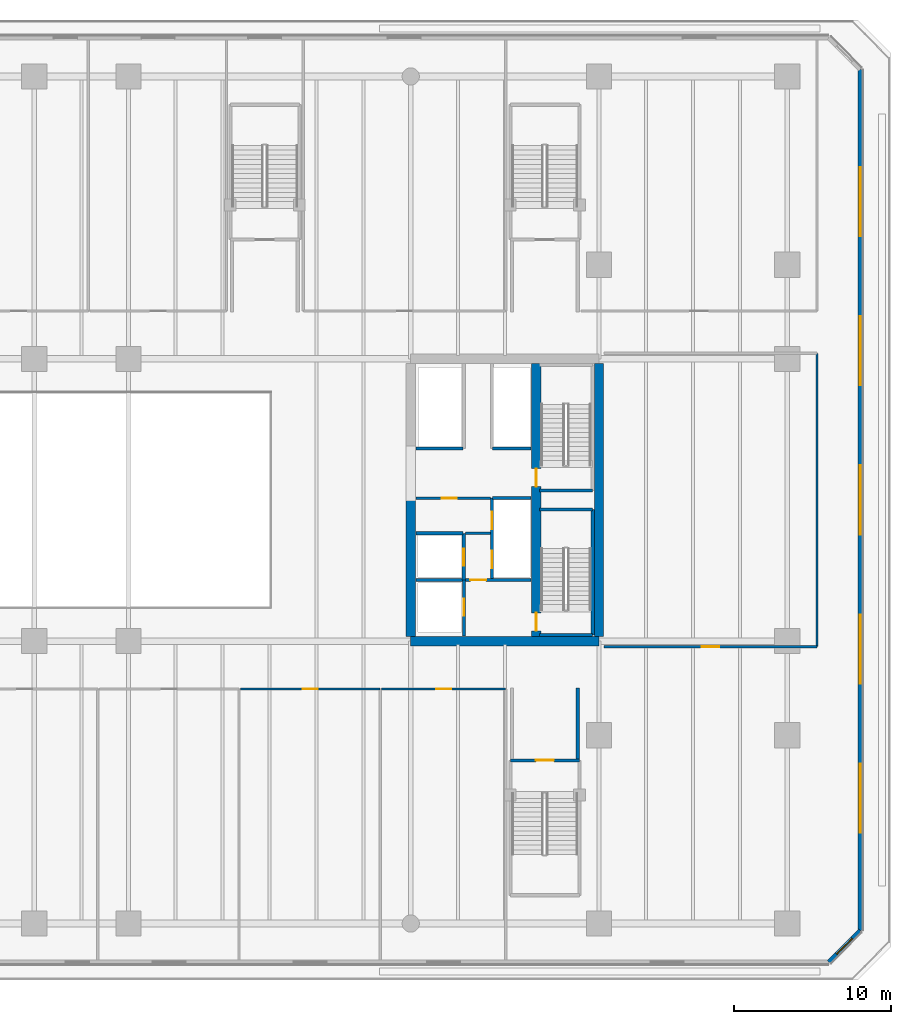
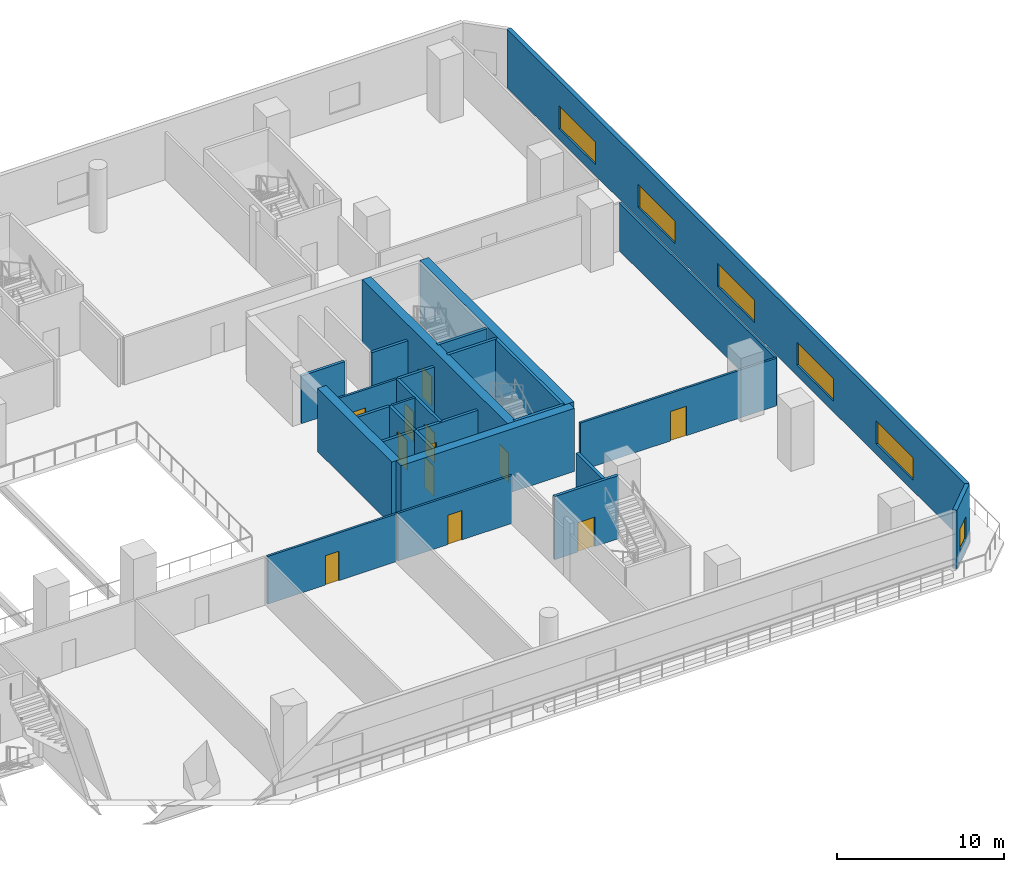
# One storey, part 8 of 27: 26 walls, 12 doors, 6 windows, 18 openings.
"""IFC4 building model written with IfcOpenShell, lengths in metres."""

from ifc_helpers import new_model, si_unit, direction, frame, frame_2d, origin, place, context, subcontext, project, spatial, rectangle, extrude, material, layer, layer_set, type_object, element, fill, save


model = new_model("IFC4")

# Units and contexts
model_context = context("Model", 3, precision=1e-05, world=origin(), true_north=direction((0.0, 1.0)))
body_context = subcontext(model_context, "Body", "Model", "MODEL_VIEW")
ifc_project = project(units=[si_unit("LENGTHUNIT", "METRE"), si_unit("AREAUNIT", "SQUARE_METRE"), si_unit("VOLUMEUNIT", "CUBIC_METRE"), si_unit("PLANEANGLEUNIT", "RADIAN"), si_unit("MASSUNIT", "GRAM", prefix="KILO")], contexts=[model_context])

# Site, building, storey
site_placement = place(None, origin())
site = spatial("IfcSite", under=ifc_project, at=site_placement, CompositionType="ELEMENT")
building_placement = place(site_placement, origin())
building = spatial("IfcBuilding", under=site, at=building_placement, Name="Tanjung Sevakor Pilgrim Tower", CompositionType="ELEMENT")
storey_placement = place(building_placement, frame((0.0, 0.0, 19.469970703125)))
storey = spatial("IfcBuildingStorey", under=building, at=storey_placement, Name="L05", CompositionType="ELEMENT", Elevation=19.469970703125)

# Walls
ifc_material_1 = material(Name="Concrete C60/75", Category="concrete")
ifc_layer_1 = layer(ifc_material_1, 0.60009765625)
ifc_layer_set_1 = layer_set([ifc_layer_1], Name="WALL-CW-600")
wall_type_1 = type_object("IfcWallType", Name="WALL-CW-600", PredefinedType="SHEAR", material=ifc_layer_set_1)
wall_1_placement = place(storey_placement, frame((78.0, 24.60009765625, 0.0), z_axis=(0.0, 0.0, 1.0), x_axis=(1.0, 0.0, 0.0)))
element("IfcWall", 1, at=wall_1_placement, inside=storey, type_object=wall_type_1, Name="L05 E Core South Shear Wall", PredefinedType="SHEAR", context=body_context, shape_type="SweptSolid", body=[
    extrude(rectangle(XDim=12.0, YDim=0.60009765625, at=frame_2d((6.0, 0.0))), origin(), (0.0, 0.0, 1.0), 4.6201171875),
])
wall_2_placement = place(storey_placement, frame((90.0, 24.89990234375, 0.0), z_axis=(0.0, 0.0, 1.0), x_axis=(0.0, 1.0, 0.0)))
element("IfcWall", 2, at=wall_2_placement, inside=storey, type_object=wall_type_1, Name="L05 E Core Outer Shear Wall", PredefinedType="SHEAR", context=body_context, shape_type="SweptSolid", body=[
    extrude(rectangle(XDim=17.400146484375, YDim=0.60009765625, at=frame_2d((8.7001953125, 0.0))), origin(), (0.0, 0.0, 1.0), 4.6201171875),
])
wall_3_placement = place(storey_placement, frame((78.0, 24.89990234375, 0.0), z_axis=(0.0, 0.0, 1.0), x_axis=(0.0, 1.0, 0.0)))
element("IfcWall", 3, at=wall_3_placement, inside=storey, type_object=wall_type_1, Name="L05 E Core Inner Shear Wall South", PredefinedType="SHEAR", context=body_context, shape_type="SweptSolid", body=[
    extrude(rectangle(XDim=8.900146484375, YDim=0.60009765625, at=frame_2d((4.4501953125, 0.0))), origin(), (0.0, 0.0, 1.0), 4.6201171875),
])

# Wall, openings, doors
wall_4_placement = place(storey_placement, frame((86.0, 24.89990234375, 0.0), z_axis=(0.0, 0.0, 1.0), x_axis=(0.0, 1.0, 0.0)))
wall_4 = element("IfcWall", 4, at=wall_4_placement, inside=storey, type_object=wall_type_1, Name="L05 E Core Stair Spine Wall", PredefinedType="SHEAR", context=body_context, shape_type="SweptSolid", body=[
    extrude(rectangle(XDim=17.400146484375, YDim=0.60009765625, at=frame_2d((8.7001953125, 0.0))), origin(), (0.0, 0.0, 1.0), 4.6201171875),
])
opening_1_placement = place(wall_4_placement, frame((0.35009765625, 0.0, 0.0)))
opening_1 = element("IfcOpeningElement", 5, at=opening_1_placement, cuts=wall_4, Name="Opening ID-ST1", PredefinedType="OPENING", context=body_context, shape_type="SweptSolid", body=[
    extrude(rectangle(XDim=1.14990234375, YDim=2.14990234375, at=frame_2d((0.574951171875, 1.074951171875))), frame((0.0, 0.31005859375, 0.0), z_axis=(0.0, -1.0, 0.0), x_axis=(1.0, 0.0, 0.0)), (0.0, 0.0, 1.0), 0.6201171875),
])
opening_2_placement = place(wall_4_placement, frame((9.550048828125, 0.0, 0.0)))
opening_2 = element("IfcOpeningElement", 6, at=opening_2_placement, cuts=wall_4, Name="Opening ID-ST1", PredefinedType="OPENING", context=body_context, shape_type="SweptSolid", body=[
    extrude(rectangle(XDim=1.14990234375, YDim=2.14990234375, at=frame_2d((0.574951171875, 1.074951171875))), frame((0.0, 0.31005859375, 0.0), z_axis=(0.0, -1.0, 0.0), x_axis=(1.0, 0.0, 0.0)), (0.0, 0.0, 1.0), 0.6201171875),
])
ifc_material_2 = material(Name="Fire-Rated Steel S355J2", Category="steel")
door_type_1 = type_object("IfcDoorType", Name="DT-FIRE-1150", OperationType="NOTDEFINED", PredefinedType="DOOR", material=ifc_material_2)
door_1_placement = place(opening_1_placement, origin())
door_1 = element("IfcDoor", 7, at=door_1_placement, inside=storey, type_object=door_type_1, Name="L05 TS-E1 Stair Fire Door", OperationType="SINGLE_SWING_RIGHT", OverallHeight=2.14990234375, OverallWidth=1.14990234375, PredefinedType="DOOR", context=body_context, shape_type="SweptSolid", body=[
    extrude(rectangle(XDim=1.14990234375, YDim=2.14990234375, at=frame_2d((0.574951171875, 1.074951171875))), frame((0.0, 0.02490234375, 0.0), z_axis=(0.0, -1.0, 0.0), x_axis=(1.0, 0.0, 0.0)), (0.0, 0.0, 1.0), 0.050048828125),
])
fill(opening_1, door_1)
door_2_placement = place(opening_2_placement, origin())
door_2 = element("IfcDoor", 8, at=door_2_placement, inside=storey, type_object=door_type_1, Name="L05 TS-E2 Stair Fire Door", OperationType="SINGLE_SWING_LEFT", OverallHeight=2.14990234375, OverallWidth=1.14990234375, PredefinedType="DOOR", context=body_context, shape_type="SweptSolid", body=[
    extrude(rectangle(XDim=1.14990234375, YDim=2.14990234375, at=frame_2d((0.574951171875, 1.074951171875))), frame((0.0, 0.02490234375, 0.0), z_axis=(0.0, -1.0, 0.0), x_axis=(1.0, 0.0, 0.0)), (0.0, 0.0, 1.0), 0.050048828125),
])
fill(opening_2, door_2)

# Wall
ifc_material_3 = material(Name="Concrete C40/50", Category="concrete")
ifc_layer_2 = layer(ifc_material_3, 0.14990234375)
ifc_layer_set_2 = layer_set([ifc_layer_2], Name="WT-COMP-150")
wall_type_2 = type_object("IfcWallType", Name="WT-COMP-150", PredefinedType="SOLIDWALL", material=ifc_layer_set_2)
wall_5_placement = place(storey_placement, frame((81.5, 31.47998046875, 0.0), z_axis=(0.0, 0.0, 1.0), x_axis=(1.0, 0.0, 0.0)))
element("IfcWall", 9, at=wall_5_placement, inside=storey, type_object=wall_type_2, Name="L05 Partition IW-L05-019", PredefinedType="SOLIDWALL", context=body_context, shape_type="SweptSolid", body=[
    extrude(rectangle(XDim=1.60009765625, YDim=0.14990234375, at=frame_2d((0.800048828125, 0.0))), origin(), (0.0, 0.0, 1.0), 3.489990234375),
])

# Wall, opening, door
wall_6_placement = place(storey_placement, frame((78.320068359375, 33.719970703125, 0.0), z_axis=(0.0, 0.0, 1.0), x_axis=(1.0, 0.0, 0.0)))
wall_6 = element("IfcWall", 10, at=wall_6_placement, inside=storey, type_object=wall_type_2, Name="L05 Partition IW-L05-020", PredefinedType="SOLIDWALL", context=body_context, shape_type="SweptSolid", body=[
    extrude(rectangle(XDim=4.780029296875, YDim=0.14990234375, at=frame_2d((2.39013671875, 0.0))), origin(), (0.0, 0.0, 1.0), 3.489990234375),
])
opening_3_placement = place(wall_6_placement, frame((1.64990234375, 0.0, 0.0)))
opening_3 = element("IfcOpeningElement", 11, at=opening_3_placement, cuts=wall_6, Name="Opening ID-FD2", PredefinedType="OPENING", context=body_context, shape_type="SweptSolid", body=[
    extrude(rectangle(XDim=0.949951171875, YDim=2.14990234375, at=frame_2d((0.47509765625, 1.074951171875))), frame((0.0, 0.0849609375, 0.0), z_axis=(0.0, -1.0, 0.0), x_axis=(1.0, 0.0, 0.0)), (0.0, 0.0, 1.0), 0.169921875),
])
ifc_material_4 = material(Name="Fire-Rated Timber", Category="wood")
door_type_2 = type_object("IfcDoorType", Name="DT-FIRE-950", OperationType="NOTDEFINED", PredefinedType="DOOR", material=ifc_material_4)
door_3_placement = place(opening_3_placement, origin())
door_3 = element("IfcDoor", 12, at=door_3_placement, inside=storey, type_object=door_type_2, Name="L05 Accessible WC Door", OperationType="SINGLE_SWING_LEFT", OverallHeight=2.14990234375, OverallWidth=0.949951171875, PredefinedType="DOOR", context=body_context, shape_type="SweptSolid", body=[
    extrude(rectangle(XDim=0.949951171875, YDim=2.14990234375, at=frame_2d((0.47509765625, 1.074951171875))), frame((0.0, 0.02490234375, 0.0), z_axis=(0.0, -1.0, 0.0), x_axis=(1.0, 0.0, 0.0)), (0.0, 0.0, 1.0), 0.050048828125),
])
fill(opening_3, door_3)

wall_7_placement = place(storey_placement, frame((67.14990234375, 21.550048828125, 0.0), z_axis=(0.0, 0.0, 1.0), x_axis=(1.0, 0.0, 0.0)))
wall_7 = element("IfcWall", 13, at=wall_7_placement, inside=storey, type_object=wall_type_2, Name="L05 Partition IW-L05-044", PredefinedType="SOLIDWALL", context=body_context, shape_type="SweptSolid", body=[
    extrude(rectangle(XDim=8.900146484375, YDim=0.14990234375, at=frame_2d((4.4501953125, 0.0))), origin(), (0.0, 0.0, 1.0), 3.489990234375),
])
opening_4_placement = place(wall_7_placement, frame((3.97509765625, 0.0, 0.0)))
opening_4 = element("IfcOpeningElement", 14, at=opening_4_placement, cuts=wall_7, Name="Opening ID-RM1", PredefinedType="OPENING", context=body_context, shape_type="SweptSolid", body=[
    extrude(rectangle(XDim=0.949951171875, YDim=2.14990234375, at=frame_2d((0.47509765625, 1.074951171875))), frame((0.0, 0.0849609375, 0.0), z_axis=(0.0, -1.0, 0.0), x_axis=(1.0, 0.0, 0.0)), (0.0, 0.0, 1.0), 0.169921875),
])
ifc_material_5 = material(Name="Hardwood Timber", Category="wood")
door_type_3 = type_object("IfcDoorType", Name="DT-INT-950", OperationType="NOTDEFINED", PredefinedType="DOOR", material=ifc_material_5)
door_4_placement = place(opening_4_placement, origin())
door_4 = element("IfcDoor", 15, at=door_4_placement, inside=storey, type_object=door_type_3, Name="L05 Clinic Suite Door 4", OperationType="SINGLE_SWING_LEFT", OverallHeight=2.14990234375, OverallWidth=0.949951171875, PredefinedType="DOOR", context=body_context, shape_type="SweptSolid", body=[
    extrude(rectangle(XDim=0.949951171875, YDim=2.14990234375, at=frame_2d((0.47509765625, 1.074951171875))), frame((0.0, 0.02490234375, 0.0), z_axis=(0.0, -1.0, 0.0), x_axis=(1.0, 0.0, 0.0)), (0.0, 0.0, 1.0), 0.050048828125),
])
fill(opening_4, door_4)

wall_8_placement = place(storey_placement, frame((76.14990234375, 21.550048828125, 0.0), z_axis=(0.0, 0.0, 1.0), x_axis=(1.0, 0.0, 0.0)))
wall_8 = element("IfcWall", 16, at=wall_8_placement, inside=storey, type_object=wall_type_2, Name="L05 Partition IW-L05-046", PredefinedType="SOLIDWALL", context=body_context, shape_type="SweptSolid", body=[
    extrude(rectangle(XDim=7.900146484375, YDim=0.14990234375, at=frame_2d((3.9501953125, 0.0))), origin(), (0.0, 0.0, 1.0), 3.489990234375),
])
opening_5_placement = place(wall_8_placement, frame((3.47509765625, 0.0, 0.0)))
opening_5 = element("IfcOpeningElement", 17, at=opening_5_placement, cuts=wall_8, Name="Opening ID-RM1", PredefinedType="OPENING", context=body_context, shape_type="SweptSolid", body=[
    extrude(rectangle(XDim=0.949951171875, YDim=2.14990234375, at=frame_2d((0.47509765625, 1.074951171875))), frame((0.0, 0.0849609375, 0.0), z_axis=(0.0, -1.0, 0.0), x_axis=(1.0, 0.0, 0.0)), (0.0, 0.0, 1.0), 0.169921875),
])
door_5_placement = place(opening_5_placement, origin())
door_5 = element("IfcDoor", 18, at=door_5_placement, inside=storey, type_object=door_type_3, Name="L05 Clinic Suite Door 5", OperationType="SINGLE_SWING_RIGHT", OverallHeight=2.14990234375, OverallWidth=0.949951171875, PredefinedType="DOOR", context=body_context, shape_type="SweptSolid", body=[
    extrude(rectangle(XDim=0.949951171875, YDim=2.14990234375, at=frame_2d((0.47509765625, 1.074951171875))), frame((0.0, 0.02490234375, 0.0), z_axis=(0.0, -1.0, 0.0), x_axis=(1.0, 0.0, 0.0)), (0.0, 0.0, 1.0), 0.050048828125),
])
fill(opening_5, door_5)

wall_9_placement = place(storey_placement, frame((90.320068359375, 24.25, 0.0), z_axis=(0.0, 0.0, 1.0), x_axis=(1.0, 0.0, 0.0)))
wall_9 = element("IfcWall", 19, at=wall_9_placement, inside=storey, type_object=wall_type_2, Name="L05 Partition IW-L05-068", PredefinedType="SOLIDWALL", context=body_context, shape_type="SweptSolid", body=[
    extrude(rectangle(XDim=13.579833984375, YDim=0.14990234375, at=frame_2d((6.7900390625, 0.0))), origin(), (0.0, 0.0, 1.0), 3.489990234375),
])
opening_6_placement = place(wall_9_placement, frame((6.239990234375, 0.0, 0.0)))
opening_6 = element("IfcOpeningElement", 20, at=opening_6_placement, cuts=wall_9, Name="Opening ID-RM2", PredefinedType="OPENING", context=body_context, shape_type="SweptSolid", body=[
    extrude(rectangle(XDim=1.10009765625, YDim=2.14990234375, at=frame_2d((0.550048828125, 1.074951171875))), frame((0.0, 0.0849609375, 0.0), z_axis=(0.0, -1.0, 0.0), x_axis=(1.0, 0.0, 0.0)), (0.0, 0.0, 1.0), 0.169921875),
])
ifc_material_6 = material(Name="Hardwood Timber", Category="wood")
door_type_4 = type_object("IfcDoorType", Name="DT-INT-1100", OperationType="NOTDEFINED", PredefinedType="DOOR", material=ifc_material_6)
door_6_placement = place(opening_6_placement, origin())
door_6 = element("IfcDoor", 21, at=door_6_placement, inside=storey, type_object=door_type_4, Name="L05 East Office Door", OperationType="SINGLE_SWING_LEFT", OverallHeight=2.14990234375, OverallWidth=1.10009765625, PredefinedType="DOOR", context=body_context, shape_type="SweptSolid", body=[
    extrude(rectangle(XDim=1.10009765625, YDim=2.14990234375, at=frame_2d((0.550048828125, 1.074951171875))), frame((0.0, 0.02490234375, 0.0), z_axis=(0.0, -1.0, 0.0), x_axis=(1.0, 0.0, 0.0)), (0.0, 0.0, 1.0), 0.050048828125),
])
fill(opening_6, door_6)

# Wall
wall_10_placement = place(storey_placement, frame((103.89990234375, 24.25, 0.0), z_axis=(0.0, 0.0, 1.0), x_axis=(0.0, 1.0, 0.0)))
element("IfcWall", 22, at=wall_10_placement, inside=storey, type_object=wall_type_2, Name="L05 Partition IW-L05-070", PredefinedType="SOLIDWALL", context=body_context, shape_type="SweptSolid", body=[
    extrude(rectangle(XDim=18.699951171875, YDim=0.14990234375, at=frame_2d((9.35009765625, 0.0))), origin(), (0.0, 0.0, 1.0), 3.489990234375),
])

# Wall, opening, window
ifc_material_7 = material(Name="Precast concrete C45/55", Category="concrete")
ifc_layer_3 = layer(ifc_material_7, 0.280029296875)
ifc_layer_set_3 = layer_set([ifc_layer_3], Name="WT-EW-STN2")
wall_type_3 = type_object("IfcWallType", Name="WT-EW-STN2", PredefinedType="SOLIDWALL", material=ifc_layer_set_3)
wall_11_placement = place(storey_placement, frame((104.64208984375, 4.139892578125, 0.0), z_axis=(0.0, 0.0, 1.0), x_axis=(0.707064005301, 0.707149554485, 0.0)))
wall_11 = element("IfcWall", 23, at=wall_11_placement, inside=storey, type_object=wall_type_3, Name="L05 MAIN Exterior Wall 2", PredefinedType="SOLIDWALL", context=body_context, shape_type="SweptSolid", body=[
    extrude(rectangle(XDim=2.853759765625, YDim=0.280029296875, at=frame_2d((1.4267578125, 0.0))), origin(), (0.0, 0.0, 1.0), 4.27001953125),
])
opening_7_placement = place(wall_11_placement, frame((0.726806640625, 0.0, 0.780029296875)))
opening_7 = element("IfcOpeningElement", 24, at=opening_7_placement, cuts=wall_11, Name="Opening WN-END", PredefinedType="OPENING", context=body_context, shape_type="SweptSolid", body=[
    extrude(rectangle(XDim=1.39990234375, YDim=1.64990234375, at=frame_2d((0.699951171875, 0.824951171875))), frame((0.0, 0.14990234375, 0.0), z_axis=(0.0, -1.0, 0.0), x_axis=(1.0, 0.0, 0.0)), (0.0, 0.0, 1.0), 0.300048828125),
])
ifc_material_8 = material(Name="Thermally Broken Aluminium and Low-E Glass", Category="aluminium")
window_type_1 = type_object("IfcWindowType", Name="WTYP-WN-END", PartitioningType="SINGLE_PANEL", PredefinedType="WINDOW", material=ifc_material_8)
window_1_placement = place(opening_7_placement, origin())
window_1 = element("IfcWindow", 25, at=window_1_placement, inside=storey, type_object=window_type_1, Name="L05 Facade Window 01", OverallHeight=1.64990234375, OverallWidth=1.39990234375, PartitioningType="SINGLE_PANEL", PredefinedType="WINDOW", context=body_context, shape_type="SweptSolid", body=[
    extrude(rectangle(XDim=1.39990234375, YDim=1.64990234375, at=frame_2d((0.699951171875, 0.824951171875))), frame((0.0, 0.030029296875, 0.0), z_axis=(0.0, -1.0, 0.0), x_axis=(1.0, 0.0, 0.0)), (0.0, 0.0, 1.0), 0.06005859375),
])
fill(opening_7, window_1)

# Wall, openings, windows
wall_12_placement = place(storey_placement, frame((106.659912109375, 6.157958984375, 0.0), z_axis=(0.0, 0.0, 1.0), x_axis=(0.0, 1.0, 0.0)))
wall_12 = element("IfcWall", 26, at=wall_12_placement, inside=storey, type_object=wall_type_3, Name="L05 MAIN Exterior Wall 3", PredefinedType="SOLIDWALL", context=body_context, shape_type="SweptSolid", body=[
    extrude(rectangle(XDim=54.884033203125, YDim=0.280029296875, at=frame_2d((27.44189453125, 0.0))), origin(), (0.0, 0.0, 1.0), 4.27001953125),
])
opening_8_placement = place(wall_12_placement, frame((25.241943359375, 0.0, 0.780029296875)))
opening_8 = element("IfcOpeningElement", 27, at=opening_8_placement, cuts=wall_12, Name="Opening WN-ENDW-1660", PredefinedType="OPENING", context=body_context, shape_type="SweptSolid", body=[
    extrude(rectangle(XDim=4.39990234375, YDim=1.659912109375, at=frame_2d((2.199951171875, 0.830078125))), frame((0.0, 0.14990234375, 0.0), z_axis=(0.0, -1.0, 0.0), x_axis=(1.0, 0.0, 0.0)), (0.0, 0.0, 1.0), 0.300048828125),
])
opening_9_placement = place(wall_12_placement, frame((6.241943359375, 0.0, 0.780029296875)))
opening_9 = element("IfcOpeningElement", 28, at=opening_9_placement, cuts=wall_12, Name="Opening WN-ENDW-1660", PredefinedType="OPENING", context=body_context, shape_type="SweptSolid", body=[
    extrude(rectangle(XDim=4.39990234375, YDim=1.659912109375, at=frame_2d((2.199951171875, 0.830078125))), frame((0.0, 0.14990234375, 0.0), z_axis=(0.0, -1.0, 0.0), x_axis=(1.0, 0.0, 0.0)), (0.0, 0.0, 1.0), 0.300048828125),
])
opening_10_placement = place(wall_12_placement, frame((15.741943359375, 0.0, 0.780029296875)))
opening_10 = element("IfcOpeningElement", 29, at=opening_10_placement, cuts=wall_12, Name="Opening WN-ENDW-1660", PredefinedType="OPENING", context=body_context, shape_type="SweptSolid", body=[
    extrude(rectangle(XDim=4.39990234375, YDim=1.659912109375, at=frame_2d((2.199951171875, 0.830078125))), frame((0.0, 0.14990234375, 0.0), z_axis=(0.0, -1.0, 0.0), x_axis=(1.0, 0.0, 0.0)), (0.0, 0.0, 1.0), 0.300048828125),
])
opening_11_placement = place(wall_12_placement, frame((34.741943359375, 0.0, 0.780029296875)))
opening_11 = element("IfcOpeningElement", 30, at=opening_11_placement, cuts=wall_12, Name="Opening WN-ENDW-1660", PredefinedType="OPENING", context=body_context, shape_type="SweptSolid", body=[
    extrude(rectangle(XDim=4.39990234375, YDim=1.659912109375, at=frame_2d((2.199951171875, 0.830078125))), frame((0.0, 0.14990234375, 0.0), z_axis=(0.0, -1.0, 0.0), x_axis=(1.0, 0.0, 0.0)), (0.0, 0.0, 1.0), 0.300048828125),
])
opening_12_placement = place(wall_12_placement, frame((44.241943359375, 0.0, 0.780029296875)))
opening_12 = element("IfcOpeningElement", 31, at=opening_12_placement, cuts=wall_12, Name="Opening WN-ENDW-1660", PredefinedType="OPENING", context=body_context, shape_type="SweptSolid", body=[
    extrude(rectangle(XDim=4.39990234375, YDim=1.659912109375, at=frame_2d((2.199951171875, 0.830078125))), frame((0.0, 0.14990234375, 0.0), z_axis=(0.0, -1.0, 0.0), x_axis=(1.0, 0.0, 0.0)), (0.0, 0.0, 1.0), 0.300048828125),
])
ifc_material_9 = material(Name="Thermally Broken Aluminium and Low-E Glass", Category="aluminium")
window_type_2 = type_object("IfcWindowType", Name="WTYP-WN-ENDW-1660", PartitioningType="DOUBLE_PANEL_VERTICAL", PredefinedType="WINDOW", material=ifc_material_9)
window_2_placement = place(opening_8_placement, origin())
window_2 = element("IfcWindow", 32, at=window_2_placement, inside=storey, type_object=window_type_2, Name="L05 Facade Window 01", OverallHeight=1.659912109375, OverallWidth=4.39990234375, PartitioningType="SINGLE_PANEL", PredefinedType="WINDOW", context=body_context, shape_type="SweptSolid", body=[
    extrude(rectangle(XDim=4.39990234375, YDim=1.659912109375, at=frame_2d((2.199951171875, 0.830078125))), frame((0.0, 0.030029296875, 0.0), z_axis=(0.0, -1.0, 0.0), x_axis=(1.0, 0.0, 0.0)), (0.0, 0.0, 1.0), 0.06005859375),
])
fill(opening_8, window_2)
window_3_placement = place(opening_9_placement, origin())
window_3 = element("IfcWindow", 33, at=window_3_placement, inside=storey, type_object=window_type_2, Name="L05 Facade Window 02", OverallHeight=1.659912109375, OverallWidth=4.39990234375, PartitioningType="SINGLE_PANEL", PredefinedType="WINDOW", context=body_context, shape_type="SweptSolid", body=[
    extrude(rectangle(XDim=4.39990234375, YDim=1.659912109375, at=frame_2d((2.199951171875, 0.830078125))), frame((0.0, 0.030029296875, 0.0), z_axis=(0.0, -1.0, 0.0), x_axis=(1.0, 0.0, 0.0)), (0.0, 0.0, 1.0), 0.06005859375),
])
fill(opening_9, window_3)
window_4_placement = place(opening_10_placement, origin())
window_4 = element("IfcWindow", 34, at=window_4_placement, inside=storey, type_object=window_type_2, Name="L05 Facade Window 03", OverallHeight=1.659912109375, OverallWidth=4.39990234375, PartitioningType="SINGLE_PANEL", PredefinedType="WINDOW", context=body_context, shape_type="SweptSolid", body=[
    extrude(rectangle(XDim=4.39990234375, YDim=1.659912109375, at=frame_2d((2.199951171875, 0.830078125))), frame((0.0, 0.030029296875, 0.0), z_axis=(0.0, -1.0, 0.0), x_axis=(1.0, 0.0, 0.0)), (0.0, 0.0, 1.0), 0.06005859375),
])
fill(opening_10, window_4)
window_5_placement = place(opening_11_placement, origin())
window_5 = element("IfcWindow", 35, at=window_5_placement, inside=storey, type_object=window_type_2, Name="L05 Facade Window 04", OverallHeight=1.659912109375, OverallWidth=4.39990234375, PartitioningType="SINGLE_PANEL", PredefinedType="WINDOW", context=body_context, shape_type="SweptSolid", body=[
    extrude(rectangle(XDim=4.39990234375, YDim=1.659912109375, at=frame_2d((2.199951171875, 0.830078125))), frame((0.0, 0.030029296875, 0.0), z_axis=(0.0, -1.0, 0.0), x_axis=(1.0, 0.0, 0.0)), (0.0, 0.0, 1.0), 0.06005859375),
])
fill(opening_11, window_5)
window_6_placement = place(opening_12_placement, origin())
window_6 = element("IfcWindow", 36, at=window_6_placement, inside=storey, type_object=window_type_2, Name="L05 Facade Window 05", OverallHeight=1.659912109375, OverallWidth=4.39990234375, PartitioningType="SINGLE_PANEL", PredefinedType="WINDOW", context=body_context, shape_type="SweptSolid", body=[
    extrude(rectangle(XDim=4.39990234375, YDim=1.659912109375, at=frame_2d((2.199951171875, 0.830078125))), frame((0.0, 0.030029296875, 0.0), z_axis=(0.0, -1.0, 0.0), x_axis=(1.0, 0.0, 0.0)), (0.0, 0.0, 1.0), 0.06005859375),
])
fill(opening_12, window_6)

# Walls
ifc_material_10 = material(Name="Concrete C40/50", Category="concrete")
ifc_layer_4 = layer(ifc_material_10, 0.199951171875)
ifc_layer_set_4 = layer_set([ifc_layer_4], Name="WT-FIRE-200")
wall_type_4 = type_object("IfcWallType", Name="WT-FIRE-200", PredefinedType="SOLIDWALL", material=ifc_layer_set_4)
wall_13_placement = place(storey_placement, frame((86.199951171875, 25.0, 0.0), z_axis=(0.0, 0.0, 1.0), x_axis=(1.0, 0.0, 0.0)))
element("IfcWall", 37, at=wall_13_placement, inside=storey, type_object=wall_type_4, Name="L05 TS-E1 Shaft Wall 1", PredefinedType="SOLIDWALL", context=body_context, shape_type="SweptSolid", body=[
    extrude(rectangle(XDim=3.400146484375, YDim=0.199951171875, at=frame_2d((1.7001953125, 0.0))), origin(), (0.0, 0.0, 1.0), 4.6201171875),
])
wall_14_placement = place(storey_placement, frame((89.60009765625, 25.0, 0.0), z_axis=(0.0, 0.0, 1.0), x_axis=(0.0, 1.0, 0.0)))
element("IfcWall", 38, at=wall_14_placement, inside=storey, type_object=wall_type_4, Name="L05 TS-E1 Shaft Wall 2", PredefinedType="SOLIDWALL", context=body_context, shape_type="SweptSolid", body=[
    extrude(rectangle(XDim=8.0, YDim=0.199951171875, at=frame_2d((4.0, 0.0))), origin(), (0.0, 0.0, 1.0), 4.6201171875),
])
for number, where, z_axis, x_axis, name in (
    (39, (89.60009765625, 33.0, 0.0), (0.0, 0.0, 1.0), (-1.0, 0.0, 0.0), "L05 TS-E1 Shaft Wall 3"),
    (40, (86.199951171875, 34.199951171875, 0.0), (0.0, 0.0, 1.0), (1.0, 0.0, 0.0), "L05 TS-E2 Shaft Wall 1"),
):
    element("IfcWall", number, at=place(storey_placement, frame(where, z_axis=z_axis, x_axis=x_axis)), inside=storey, type_object=wall_type_4, Name=name, PredefinedType="SOLIDWALL", context=body_context, shape_type="SweptSolid", body=[
        extrude(rectangle(XDim=3.400146484375, YDim=0.199951171875, at=frame_2d((1.7001953125, 0.0))), origin(), (0.0, 0.0, 1.0), 4.6201171875),
    ])

# Wall, opening, door
wall_15_placement = place(storey_placement, frame((88.75, 17.0, 0.0), z_axis=(0.0, 0.0, 1.0), x_axis=(-1.0, 0.0, 0.0)))
wall_15 = element("IfcWall", 41, at=wall_15_placement, inside=storey, type_object=wall_type_4, Name="L05 PS-5 Shaft Wall 3", PredefinedType="SOLIDWALL", context=body_context, shape_type="SweptSolid", body=[
    extrude(rectangle(XDim=4.39990234375, YDim=0.199951171875, at=frame_2d((2.199951171875, 0.0))), origin(), (0.0, 0.0, 1.0), 4.6201171875),
])
opening_13_placement = place(wall_15_placement, frame((1.625, 0.0, 0.0)))
opening_13 = element("IfcOpeningElement", 42, at=opening_13_placement, cuts=wall_15, Name="Opening ID-ST1", PredefinedType="OPENING", context=body_context, shape_type="SweptSolid", body=[
    extrude(rectangle(XDim=1.14990234375, YDim=2.14990234375, at=frame_2d((0.574951171875, 1.074951171875))), frame((0.0, 0.10986328125, 0.0), z_axis=(0.0, -1.0, 0.0), x_axis=(1.0, 0.0, 0.0)), (0.0, 0.0, 1.0), 0.219970703125),
])
door_7_placement = place(opening_13_placement, origin())
door_7 = element("IfcDoor", 43, at=door_7_placement, inside=storey, type_object=door_type_1, Name="L05 PS-5 Stair Entry Fire Door", OperationType="SINGLE_SWING_RIGHT", OverallHeight=2.14990234375, OverallWidth=1.14990234375, PredefinedType="DOOR", context=body_context, shape_type="SweptSolid", body=[
    extrude(rectangle(XDim=1.14990234375, YDim=2.14990234375, at=frame_2d((0.574951171875, 1.074951171875))), frame((0.0, 0.02490234375, 0.0), z_axis=(0.0, -1.0, 0.0), x_axis=(1.0, 0.0, 0.0)), (0.0, 0.0, 1.0), 0.050048828125),
])
fill(opening_13, door_7)

ifc_material_11 = material(Name="Concrete C40/50", Category="concrete")
ifc_layer_5 = layer(ifc_material_11, 0.199951171875)
ifc_layer_set_5 = layer_set([ifc_layer_5], Name="WT-FPRT-200")
wall_type_5 = type_object("IfcWallType", Name="WT-FPRT-200", PredefinedType="SOLIDWALL", material=ifc_layer_set_5)
wall_16_placement = place(storey_placement, frame((81.39990234375, 24.919921875, 0.0), z_axis=(0.0, 0.0, 1.0), x_axis=(0.0, 1.0, 0.0)))
wall_16 = element("IfcWall", 44, at=wall_16_placement, inside=storey, type_object=wall_type_5, Name="L05 Partition IW-L05-013", PredefinedType="SOLIDWALL", context=body_context, shape_type="SweptSolid", body=[
    extrude(rectangle(XDim=3.580078125, YDim=0.199951171875, at=frame_2d((1.7900390625, 0.0))), origin(), (0.0, 0.0, 1.0), 3.489990234375),
])
opening_14_placement = place(wall_16_placement, frame((1.300048828125, 0.0, 0.0)))
opening_14 = element("IfcOpeningElement", 45, at=opening_14_placement, cuts=wall_16, Name="Opening LD-1100", PredefinedType="OPENING", context=body_context, shape_type="SweptSolid", body=[
    extrude(rectangle(XDim=1.10009765625, YDim=2.199951171875, at=frame_2d((0.550048828125, 1.10009765625))), frame((0.0, 0.10986328125, 0.0), z_axis=(0.0, -1.0, 0.0), x_axis=(1.0, 0.0, 0.0)), (0.0, 0.0, 1.0), 0.219970703125),
])
ifc_material_12 = material(Name="Brushed Stainless Steel S355J2", Category="steel")
door_type_5 = type_object("IfcDoorType", Name="DT-LIFT-1100", OperationType="SLIDING_TO_LEFT", PredefinedType="DOOR", material=ifc_material_12)
door_8_placement = place(opening_14_placement, origin())
door_8 = element("IfcDoor", 46, at=door_8_placement, inside=storey, type_object=door_type_5, Name="LD-FL-E", OperationType="SLIDING_TO_LEFT", OverallHeight=2.199951171875, OverallWidth=1.10009765625, PredefinedType="DOOR", context=body_context, shape_type="SweptSolid", body=[
    extrude(rectangle(XDim=1.10009765625, YDim=2.199951171875, at=frame_2d((0.550048828125, 1.10009765625))), frame((0.0, 0.02490234375, 0.0), z_axis=(0.0, -1.0, 0.0), x_axis=(1.0, 0.0, 0.0)), (0.0, 0.0, 1.0), 0.050048828125),
])
fill(opening_14, door_8)

wall_17_placement = place(storey_placement, frame((78.320068359375, 28.5, 0.0), z_axis=(0.0, 0.0, 1.0), x_axis=(1.0, 0.0, 0.0)))
wall_17 = element("IfcWall", 47, at=wall_17_placement, inside=storey, type_object=wall_type_5, Name="L05 Partition IW-L05-014", PredefinedType="SOLIDWALL", context=body_context, shape_type="SweptSolid", body=[
    extrude(rectangle(XDim=7.35986328125, YDim=0.199951171875, at=frame_2d((3.679931640625, 0.0))), origin(), (0.0, 0.0, 1.0), 3.489990234375),
])
opening_15_placement = place(wall_17_placement, frame((3.47998046875, 0.0, 0.0)))
opening_15 = element("IfcOpeningElement", 48, at=opening_15_placement, cuts=wall_17, Name="Opening ID-FD1", PredefinedType="OPENING", context=body_context, shape_type="SweptSolid", body=[
    extrude(rectangle(XDim=1.0, YDim=2.14990234375, at=frame_2d((0.5, 1.074951171875))), frame((0.0, 0.10986328125, 0.0), z_axis=(0.0, -1.0, 0.0), x_axis=(1.0, 0.0, 0.0)), (0.0, 0.0, 1.0), 0.219970703125),
])
ifc_material_13 = material(Name="Fire-Rated Steel S355J2", Category="steel")
door_type_6 = type_object("IfcDoorType", Name="DT-FIRE-1000", OperationType="NOTDEFINED", PredefinedType="DOOR", material=ifc_material_13)
door_9_placement = place(opening_15_placement, origin())
door_9 = element("IfcDoor", 49, at=door_9_placement, inside=storey, type_object=door_type_6, Name="Fire Lobby Door E", OperationType="SINGLE_SWING_LEFT", OverallHeight=2.14990234375, OverallWidth=1.0, PredefinedType="DOOR", context=body_context, shape_type="SweptSolid", body=[
    extrude(rectangle(XDim=1.0, YDim=2.14990234375, at=frame_2d((0.5, 1.074951171875))), frame((0.0, 0.02490234375, 0.0), z_axis=(0.0, -1.0, 0.0), x_axis=(1.0, 0.0, 0.0)), (0.0, 0.0, 1.0), 0.050048828125),
])
fill(opening_15, door_9)

# Wall
wall_18_placement = place(storey_placement, frame((83.199951171875, 33.719970703125, 0.0), z_axis=(0.0, 0.0, 1.0), x_axis=(1.0, 0.0, 0.0)))
element("IfcWall", 50, at=wall_18_placement, inside=storey, type_object=wall_type_5, Name="L05 Partition IW-L05-015", PredefinedType="SOLIDWALL", context=body_context, shape_type="SweptSolid", body=[
    extrude(rectangle(XDim=2.47998046875, YDim=0.199951171875, at=frame_2d((1.239990234375, 0.0))), origin(), (0.0, 0.0, 1.0), 3.489990234375),
])

# Wall, openings, doors
wall_19_placement = place(storey_placement, frame((83.179931640625, 28.5, 0.0), z_axis=(0.0, 0.0, 1.0), x_axis=(0.0, 1.0, 0.0)))
wall_19 = element("IfcWall", 51, at=wall_19_placement, inside=storey, type_object=wall_type_5, Name="L05 Partition IW-L05-016", PredefinedType="SOLIDWALL", context=body_context, shape_type="SweptSolid", body=[
    extrude(rectangle(XDim=5.219970703125, YDim=0.199951171875, at=frame_2d((2.60986328125, 0.0))), origin(), (0.0, 0.0, 1.0), 3.489990234375),
])
opening_16_placement = place(wall_19_placement, frame((0.75, 0.0, 0.0)))
opening_16 = element("IfcOpeningElement", 52, at=opening_16_placement, cuts=wall_19, Name="Opening LD-1100", PredefinedType="OPENING", context=body_context, shape_type="SweptSolid", body=[
    extrude(rectangle(XDim=1.10009765625, YDim=2.199951171875, at=frame_2d((0.550048828125, 1.10009765625))), frame((0.0, 0.10986328125, 0.0), z_axis=(0.0, -1.0, 0.0), x_axis=(1.0, 0.0, 0.0)), (0.0, 0.0, 1.0), 0.219970703125),
])
opening_17_placement = place(wall_19_placement, frame((3.25, 0.0, 0.0)))
opening_17 = element("IfcOpeningElement", 53, at=opening_17_placement, cuts=wall_19, Name="Opening LD-1100", PredefinedType="OPENING", context=body_context, shape_type="SweptSolid", body=[
    extrude(rectangle(XDim=1.10009765625, YDim=2.199951171875, at=frame_2d((0.550048828125, 1.10009765625))), frame((0.0, 0.10986328125, 0.0), z_axis=(0.0, -1.0, 0.0), x_axis=(1.0, 0.0, 0.0)), (0.0, 0.0, 1.0), 0.219970703125),
])
door_10_placement = place(opening_16_placement, origin())
door_10 = element("IfcDoor", 54, at=door_10_placement, inside=storey, type_object=door_type_5, Name="LD-PLL1-E", OperationType="SLIDING_TO_LEFT", OverallHeight=2.199951171875, OverallWidth=1.10009765625, PredefinedType="DOOR", context=body_context, shape_type="SweptSolid", body=[
    extrude(rectangle(XDim=1.10009765625, YDim=2.199951171875, at=frame_2d((0.550048828125, 1.10009765625))), frame((0.0, 0.02490234375, 0.0), z_axis=(0.0, -1.0, 0.0), x_axis=(1.0, 0.0, 0.0)), (0.0, 0.0, 1.0), 0.050048828125),
])
fill(opening_16, door_10)
door_11_placement = place(opening_17_placement, origin())
door_11 = element("IfcDoor", 55, at=door_11_placement, inside=storey, type_object=door_type_5, Name="LD-PLL2-E", OperationType="SLIDING_TO_RIGHT", OverallHeight=2.199951171875, OverallWidth=1.10009765625, PredefinedType="DOOR", context=body_context, shape_type="SweptSolid", body=[
    extrude(rectangle(XDim=1.10009765625, YDim=2.199951171875, at=frame_2d((0.550048828125, 1.10009765625))), frame((0.0, 0.02490234375, 0.0), z_axis=(0.0, -1.0, 0.0), x_axis=(1.0, 0.0, 0.0)), (0.0, 0.0, 1.0), 0.050048828125),
])
fill(opening_17, door_11)

# Wall
wall_20_placement = place(storey_placement, frame((78.320068359375, 31.47998046875, 0.0), z_axis=(0.0, 0.0, 1.0), x_axis=(1.0, 0.0, 0.0)))
element("IfcWall", 56, at=wall_20_placement, inside=storey, type_object=wall_type_5, Name="L05 Partition IW-L05-017", PredefinedType="SOLIDWALL", context=body_context, shape_type="SweptSolid", body=[
    extrude(rectangle(XDim=3.0, YDim=0.199951171875, at=frame_2d((1.5, 0.0))), origin(), (0.0, 0.0, 1.0), 3.489990234375),
])

# Wall, opening, door
wall_21_placement = place(storey_placement, frame((81.3798828125, 28.5, 0.0), z_axis=(0.0, 0.0, 1.0), x_axis=(0.0, 1.0, 0.0)))
wall_21 = element("IfcWall", 57, at=wall_21_placement, inside=storey, type_object=wall_type_5, Name="L05 Partition IW-L05-018", PredefinedType="SOLIDWALL", context=body_context, shape_type="SweptSolid", body=[
    extrude(rectangle(XDim=2.97998046875, YDim=0.199951171875, at=frame_2d((1.489990234375, 0.0))), origin(), (0.0, 0.0, 1.0), 3.489990234375),
])
opening_18_placement = place(wall_21_placement, frame((0.89990234375, 0.0, 0.0)))
opening_18 = element("IfcOpeningElement", 58, at=opening_18_placement, cuts=wall_21, Name="Opening LD-1100", PredefinedType="OPENING", context=body_context, shape_type="SweptSolid", body=[
    extrude(rectangle(XDim=1.10009765625, YDim=2.199951171875, at=frame_2d((0.550048828125, 1.10009765625))), frame((0.0, 0.10986328125, 0.0), z_axis=(0.0, -1.0, 0.0), x_axis=(1.0, 0.0, 0.0)), (0.0, 0.0, 1.0), 0.219970703125),
])
door_12_placement = place(opening_18_placement, origin())
door_12 = element("IfcDoor", 59, at=door_12_placement, inside=storey, type_object=door_type_5, Name="LD-SLP-E", OperationType="SLIDING_TO_LEFT", OverallHeight=2.199951171875, OverallWidth=1.10009765625, PredefinedType="DOOR", context=body_context, shape_type="SweptSolid", body=[
    extrude(rectangle(XDim=1.10009765625, YDim=2.199951171875, at=frame_2d((0.550048828125, 1.10009765625))), frame((0.0, 0.02490234375, 0.0), z_axis=(0.0, -1.0, 0.0), x_axis=(1.0, 0.0, 0.0)), (0.0, 0.0, 1.0), 0.050048828125),
])
fill(opening_18, door_12)

# Walls
wall_22_placement = place(storey_placement, frame((83.199951171875, 36.8798828125, 0.0), z_axis=(0.0, 0.0, 1.0), x_axis=(1.0, 0.0, 0.0)))
element("IfcWall", 60, at=wall_22_placement, inside=storey, type_object=wall_type_5, Name="L05 Partition IW-L05-021", PredefinedType="SOLIDWALL", context=body_context, shape_type="SweptSolid", body=[
    extrude(rectangle(XDim=2.47998046875, YDim=0.199951171875, at=frame_2d((1.239990234375, 0.0))), origin(), (0.0, 0.0, 1.0), 3.489990234375),
])
wall_23_placement = place(storey_placement, frame((78.320068359375, 36.8798828125, 0.0), z_axis=(0.0, 0.0, 1.0), x_axis=(1.0, 0.0, 0.0)))
element("IfcWall", 61, at=wall_23_placement, inside=storey, type_object=wall_type_5, Name="L05 Partition IW-L05-023", PredefinedType="SOLIDWALL", context=body_context, shape_type="SweptSolid", body=[
    extrude(rectangle(XDim=3.0, YDim=0.199951171875, at=frame_2d((1.5, 0.0))), origin(), (0.0, 0.0, 1.0), 3.489990234375),
])
wall_24_placement = place(storey_placement, frame((88.64990234375, 17.0, 0.0), z_axis=(0.0, 0.0, 1.0), x_axis=(0.0, 1.0, 0.0)))
element("IfcWall", 62, at=wall_24_placement, inside=storey, type_object=wall_type_5, Name="L05 Partition IW-L05-030", PredefinedType="SOLIDWALL", context=body_context, shape_type="SweptSolid", body=[
    extrude(rectangle(XDim=4.60009765625, YDim=0.199951171875, at=frame_2d((2.300048828125, 0.0))), origin(), (0.0, 0.0, 1.0), 3.489990234375),
])

save(model, "model.ifc")
